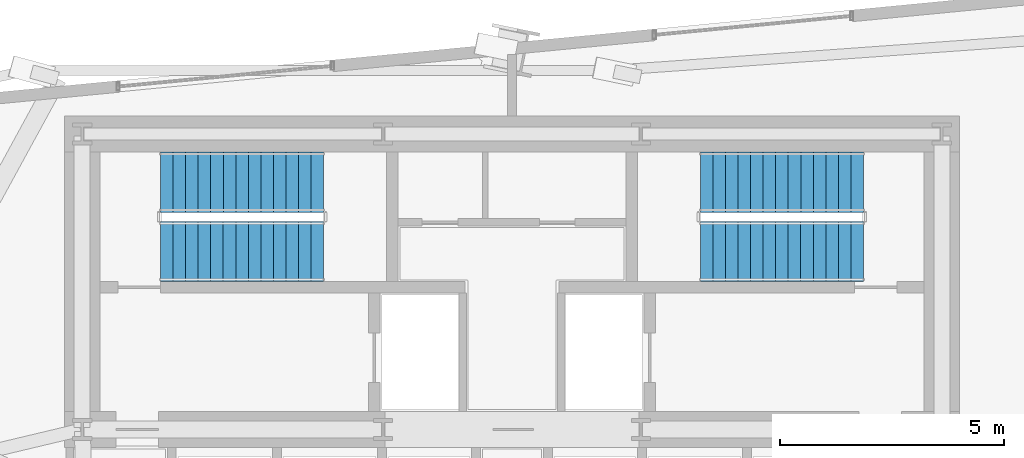
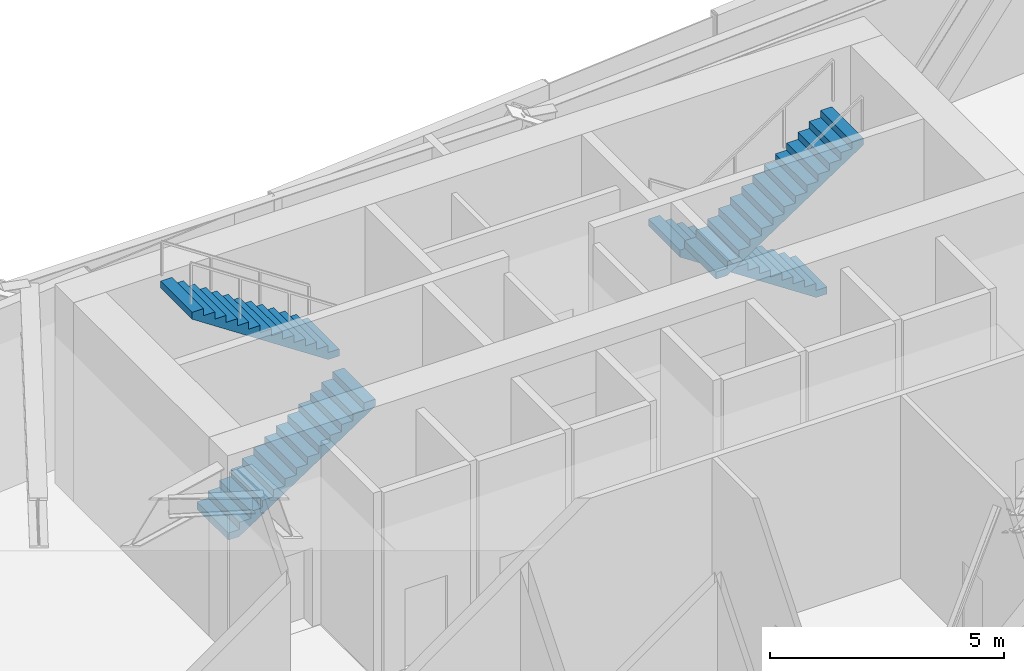
# One storey, part 24 of 28: 4 stair flights, 2 elements without a shape of their own.
"""IFC4 building model written with IfcOpenShell, lengths in metres."""

from ifc_helpers import new_model, si_unit, direction, frame, origin, place, context, subcontext, project, spatial, polyline, outline, extrude, source, transform, mapped, material, type_object, type_shapes, element, aggregate, save


model = new_model("IFC4")

# Units and contexts
model_context = context("Model", 3, precision=1e-05, world=origin(), true_north=direction((0.0, 1.0)))
body_context = subcontext(model_context, "Body", "Model", "MODEL_VIEW")
ifc_project = project(units=[si_unit("LENGTHUNIT", "METRE"), si_unit("AREAUNIT", "SQUARE_METRE"), si_unit("VOLUMEUNIT", "CUBIC_METRE"), si_unit("PLANEANGLEUNIT", "RADIAN"), si_unit("MASSUNIT", "GRAM", prefix="KILO")], contexts=[model_context])

# Site, building, storey
site_placement = place(None, origin())
site = spatial("IfcSite", under=ifc_project, at=site_placement, CompositionType="ELEMENT")
building_placement = place(site_placement, origin())
building = spatial("IfcBuilding", under=site, at=building_placement, Name="Astriad Promenade Condominiums", CompositionType="ELEMENT")
storey_placement = place(building_placement, frame((0.0, 0.0, 72.60009765625)))
storey = spatial("IfcBuildingStorey", under=building, at=storey_placement, Name="L20", CompositionType="ELEMENT", Elevation=72.60009765625)

# Stair, stair flights
ifc_material = material(Name="Concrete C50/60", Category="concrete")
stair_type = type_object("IfcStairType", Name="STR-CORE-1350", PredefinedType="HALF_TURN_STAIR", material=ifc_material)
stair_1_placement = place(storey_placement, origin())
stair_1 = element("IfcStair", 1, at=stair_1_placement, inside=storey, type_object=stair_type, Name="L20 Enclosed Core Exit Stair ST-1", PredefinedType="HALF_TURN_STAIR")
stair_flight_type = type_object("IfcStairFlightType", Name="SFL-CORE-1350", PredefinedType="STRAIGHT", material=ifc_material)
shared_shape = source(origin(), body_context, "Body", "SweptSolid", [
    extrude(outline(polyline([(0.0, 0.0), (0.0, 0.185791015625), (0.280029296875, 0.185791015625), (0.280029296875, 0.371337890625), (0.56005859375, 0.371337890625), (0.56005859375, 0.55712890625), (0.840087890625, 0.55712890625), (0.840087890625, 0.742919921875), (1.1201171875, 0.742919921875), (1.1201171875, 0.928466796875), (1.39990234375, 0.928466796875), (1.39990234375, 1.1142578125), (1.679931640625, 1.1142578125), (1.679931640625, 1.300048828125), (1.9599609375, 1.300048828125), (1.9599609375, 1.485595703125), (2.239990234375, 1.485595703125), (2.239990234375, 1.67138671875), (2.52001953125, 1.67138671875), (2.52001953125, 1.857177734375), (2.800048828125, 1.857177734375), (2.800048828125, 2.04296875), (3.080078125, 2.04296875), (3.080078125, 2.228515625), (3.360107421875, 2.228515625), (3.360107421875, 2.414306640625), (3.639892578125, 2.414306640625), (3.639892578125, 2.60009765625), (3.639892578125, 2.234375), (0.271240234375, 0.0), (0.0, 0.0)])), frame((0.0, 0.675048828125, 0.0), z_axis=(0.0, -1.0, 0.0), x_axis=(1.0, 0.0, 0.0)), (0.0, 0.0, 1.0), 1.35009765625),
])
type_shapes(stair_flight_type, [shared_shape])
stair_flight_1_placement = place(storey_placement, frame((28.14990234375, 21.375, 0.0), z_axis=(0.0, 0.0, 1.0), x_axis=(1.0, 0.0, 0.0)))
stair_flight_1 = element("IfcStairFlight", 2, at=stair_flight_1_placement, type_object=stair_flight_type, Name="ST-1 flight 1", NumberOfRisers=14, NumberOfTreads=13, PredefinedType="STRAIGHT", RiserHeight=0.185714286, TreadLength=0.28, context=body_context, shape_type="MappedRepresentation", body=[
    mapped(shared_shape, transform((0.0, 0.0, 0.0), scale=1.0)),
])
stair_flight_2_placement = place(storey_placement, frame((31.7900390625, 22.925048828125, 2.599853515625), z_axis=(0.0, 0.0, 1.0), x_axis=(-1.0, 0.0, 0.0)))
stair_flight_2 = element("IfcStairFlight", 3, at=stair_flight_2_placement, type_object=stair_flight_type, Name="ST-1 flight 2", NumberOfRisers=14, NumberOfTreads=13, PredefinedType="STRAIGHT", RiserHeight=0.185714286, TreadLength=0.28, context=body_context, shape_type="MappedRepresentation", body=[
    mapped(shared_shape, transform((0.0, 0.0, 0.0), scale=1.0)),
])
aggregate(stair_1, [stair_flight_1, stair_flight_2])

stair_2_placement = place(storey_placement, origin())
stair_2 = element("IfcStair", 4, at=stair_2_placement, inside=storey, type_object=stair_type, Name="L20 Enclosed Core Exit Stair ST-2", PredefinedType="HALF_TURN_STAIR")
stair_flight_3_placement = place(storey_placement, frame((43.85009765625, 22.925048828125, 0.0), z_axis=(0.0, 0.0, 1.0), x_axis=(-1.0, 0.0, 0.0)))
stair_flight_3 = element("IfcStairFlight", 5, at=stair_flight_3_placement, type_object=stair_flight_type, Name="ST-2 flight 1", NumberOfRisers=14, NumberOfTreads=13, PredefinedType="STRAIGHT", RiserHeight=0.185714286, TreadLength=0.28, context=body_context, shape_type="MappedRepresentation", body=[
    mapped(shared_shape, transform((0.0, 0.0, 0.0), scale=1.0)),
])
stair_flight_4_placement = place(storey_placement, frame((40.2099609375, 21.375, 2.599853515625), z_axis=(0.0, 0.0, 1.0), x_axis=(1.0, 0.0, 0.0)))
stair_flight_4 = element("IfcStairFlight", 6, at=stair_flight_4_placement, type_object=stair_flight_type, Name="ST-2 flight 2", NumberOfRisers=14, NumberOfTreads=13, PredefinedType="STRAIGHT", RiserHeight=0.185714286, TreadLength=0.28, context=body_context, shape_type="MappedRepresentation", body=[
    mapped(shared_shape, transform((0.0, 0.0, 0.0), scale=1.0)),
])
aggregate(stair_2, [stair_flight_3, stair_flight_4])

save(model, "model.ifc")
